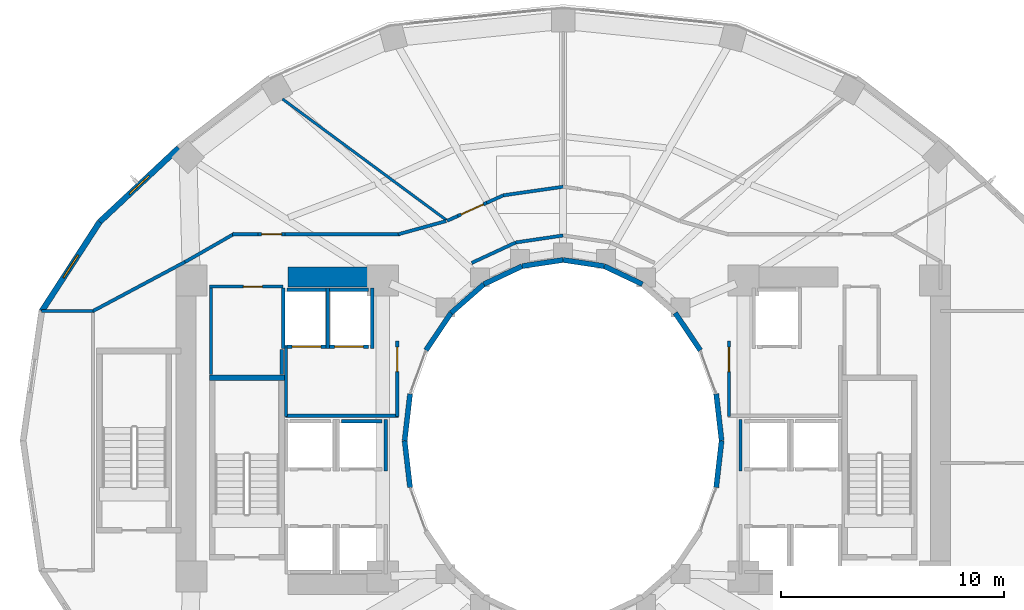
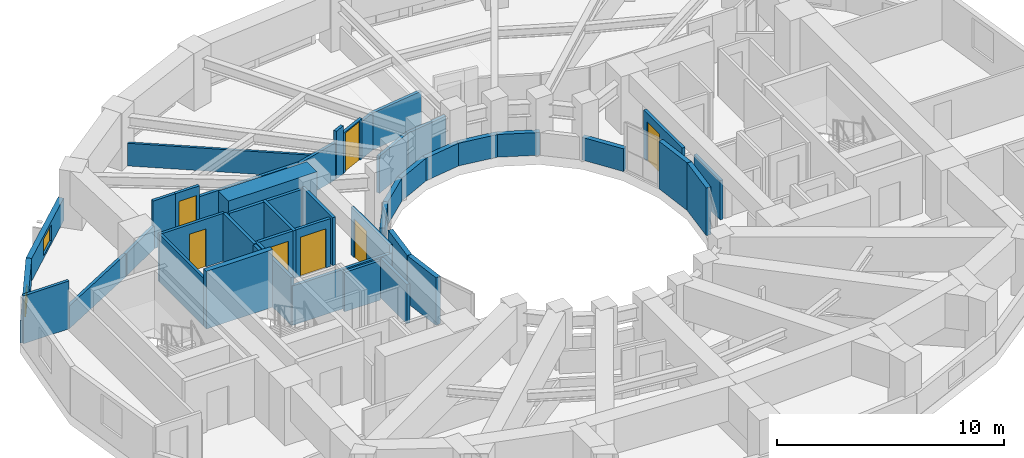
# One storey, part 13 of 19: 46 walls, 7 doors, 2 windows, 9 openings.
"""IFC4 building model written with IfcOpenShell, lengths in metres."""

from ifc_helpers import new_model, si_unit, direction, frame, frame_2d, origin, place, context, subcontext, project, spatial, rectangle, extrude, material, layer, layer_set, type_object, element, fill, save


model = new_model("IFC4")

# Units and contexts
model_context = context("Model", 3, precision=1e-05, world=origin(), true_north=direction((0.0, 1.0)))
body_context = subcontext(model_context, "Body", "Model", "MODEL_VIEW")
ifc_project = project(units=[si_unit("LENGTHUNIT", "METRE"), si_unit("AREAUNIT", "SQUARE_METRE"), si_unit("VOLUMEUNIT", "CUBIC_METRE"), si_unit("PLANEANGLEUNIT", "RADIAN"), si_unit("MASSUNIT", "GRAM", prefix="KILO")], contexts=[model_context])

# Site, building, storey
site_placement = place(None, origin())
site = spatial("IfcSite", under=ifc_project, at=site_placement, CompositionType="ELEMENT")
building_placement = place(site_placement, origin())
building = spatial("IfcBuilding", under=site, at=building_placement, Name="Solvane Sanctuary Tower", CompositionType="ELEMENT")
storey_placement = place(building_placement, frame((0.0, 0.0, 73.199951171875)))
storey = spatial("IfcBuildingStorey", under=building, at=storey_placement, Name="L21", CompositionType="ELEMENT", Elevation=73.199951171875)

# Walls
ifc_material_1 = material(Name="Concrete C70/85", Category="concrete")
ifc_layer_1 = layer(ifc_material_1, 0.89990234375, Name="Concrete C70/85")
ifc_layer_set_1 = layer_set([ifc_layer_1], Name="Concrete C70/85")
wall_type_1 = type_object("IfcWallType", Name="Wall W-CORE-900", PredefinedType="SHEAR", material=ifc_layer_set_1)
wall_1_placement = place(storey_placement, frame((19.64990234375, 30.35009765625, 0.0), z_axis=(0.0, 0.0, 1.0), x_axis=(1.0, 0.0, 0.0)))
element("IfcWall", 1, at=wall_1_placement, inside=storey, type_object=wall_type_1, Name="L21 Core Shear Wall WC-N", PredefinedType="SHEAR", context=body_context, shape_type="SweptSolid", body=[
    extrude(rectangle(XDim=4.5, YDim=0.89990234375, at=frame_2d((2.25, 0.0))), origin(), (0.0, 0.0, 1.0), 3.10009765625),
])
ifc_material_2 = material(Name="Acoustic Gypsum Partition Board")
ifc_layer_2 = layer(ifc_material_2, 0.14990234375, Name="Acoustic Gypsum Partition Board")
ifc_layer_set_2 = layer_set([ifc_layer_2], Name="Acoustic Gypsum Partition Board")
wall_type_2 = type_object("IfcWallType", Name="Wall W-CORR-150", PredefinedType="PARTITIONING", material=ifc_layer_set_2)
wall_2_placement = place(storey_placement, frame((19.52001953125, 24.1201171875, 0.0), z_axis=(0.0, 0.0, 1.0), x_axis=(1.0, 0.0, 0.0)))
element("IfcWall", 2, at=wall_2_placement, inside=storey, type_object=wall_type_2, Name="L21 West Firefighting Lobby South Wall", PredefinedType="PARTITIONING", context=body_context, shape_type="SweptSolid", body=[
    extrude(rectangle(XDim=5.080078125, YDim=0.14990234375, at=frame_2d((2.5400390625, 0.0))), origin(), (0.0, 0.0, 1.0), 2.1201171875),
])
wall_3_placement = place(storey_placement, frame((19.550048828125, 24.080078125, 0.0), z_axis=(0.0, 0.0, 1.0), x_axis=(0.0, 1.0, 0.0)))
element("IfcWall", 3, at=wall_3_placement, inside=storey, type_object=wall_type_2, Name="L21 West Firefighting Lobby West Wall", PredefinedType="PARTITIONING", context=body_context, shape_type="SweptSolid", body=[
    extrude(rectangle(XDim=3.199951171875, YDim=0.14990234375, at=frame_2d((1.60009765625, 0.0))), origin(), (0.0, 0.0, 1.0), 2.574951171875),
])

# Wall, opening, door
wall_4_placement = place(storey_placement, frame((24.550048828125, 24.080078125, 0.0), z_axis=(0.0, 0.0, 1.0), x_axis=(0.0, 1.0, 0.0)))
wall_4 = element("IfcWall", 4, at=wall_4_placement, inside=storey, type_object=wall_type_2, Name="L21 West Firefighting Lobby East Wall", PredefinedType="PARTITIONING", context=body_context, shape_type="SweptSolid", body=[
    extrude(rectangle(XDim=3.39990234375, YDim=0.14990234375, at=frame_2d((1.699951171875, 0.0))), origin(), (0.0, 0.0, 1.0), 2.574951171875),
])
opening_1_placement = place(wall_4_placement, frame((2.02001953125, 0.0, 0.0)))
opening_1 = element("IfcOpeningElement", 5, at=opening_1_placement, cuts=wall_4, Name="Opening D-L21-04", PredefinedType="OPENING", context=body_context, shape_type="SweptSolid", body=[
    extrude(rectangle(XDim=1.10009765625, YDim=2.10009765625, at=frame_2d((0.550048828125, 1.050048828125))), frame((0.0, 0.0849609375, 0.0), z_axis=(0.0, -1.0, 0.0), x_axis=(1.0, 0.0, 0.0)), (0.0, 0.0, 1.0), 0.169921875),
])
ifc_material_3 = material(Name="Architectural Stainless Steel 316", Category="steel")
door_type_1 = type_object("IfcDoorType", Name="Door D-FFL", OperationType="NOTDEFINED", PredefinedType="DOOR", material=ifc_material_3)
door_1_placement = place(opening_1_placement, origin())
door_1 = element("IfcDoor", 6, at=door_1_placement, inside=storey, type_object=door_type_1, Name="L21 West Firefighting Lobby Fire Door", OperationType="SINGLE_SWING_LEFT", OverallHeight=2.10009765625, OverallWidth=1.10009765625, PredefinedType="DOOR", context=body_context, shape_type="SweptSolid", body=[
    extrude(rectangle(XDim=1.10009765625, YDim=2.10009765625, at=frame_2d((0.550048828125, 1.050048828125))), frame((0.0, 0.02490234375, 0.0), z_axis=(0.0, -1.0, 0.0), x_axis=(1.0, 0.0, 0.0)), (0.0, 0.0, 1.0), 0.050048828125),
])
fill(opening_1, door_1)

wall_5_placement = place(storey_placement, frame((39.449951171875, 24.080078125, 0.0), z_axis=(0.0, 0.0, 1.0), x_axis=(0.0, 1.0, 0.0)))
wall_5 = element("IfcWall", 7, at=wall_5_placement, inside=storey, type_object=wall_type_2, Name="L21 East Firefighting Lobby West Wall", PredefinedType="PARTITIONING", context=body_context, shape_type="SweptSolid", body=[
    extrude(rectangle(XDim=3.39990234375, YDim=0.14990234375, at=frame_2d((1.699951171875, 0.0))), origin(), (0.0, 0.0, 1.0), 2.574951171875),
])
opening_2_placement = place(wall_5_placement, frame((2.02001953125, 0.0, 0.0)))
opening_2 = element("IfcOpeningElement", 8, at=opening_2_placement, cuts=wall_5, Name="Opening D-L21-05", PredefinedType="OPENING", context=body_context, shape_type="SweptSolid", body=[
    extrude(rectangle(XDim=1.10009765625, YDim=2.10009765625, at=frame_2d((0.550048828125, 1.050048828125))), frame((0.0, 0.0849609375, 0.0), z_axis=(0.0, -1.0, 0.0), x_axis=(1.0, 0.0, 0.0)), (0.0, 0.0, 1.0), 0.169921875),
])
door_2_placement = place(opening_2_placement, origin())
door_2 = element("IfcDoor", 9, at=door_2_placement, inside=storey, type_object=door_type_1, Name="L21 East Firefighting Lobby Fire Door", OperationType="SINGLE_SWING_RIGHT", OverallHeight=2.10009765625, OverallWidth=1.10009765625, PredefinedType="DOOR", context=body_context, shape_type="SweptSolid", body=[
    extrude(rectangle(XDim=1.10009765625, YDim=2.10009765625, at=frame_2d((0.550048828125, 1.050048828125))), frame((0.0, 0.02490234375, 0.0), z_axis=(0.0, -1.0, 0.0), x_axis=(1.0, 0.0, 0.0)), (0.0, 0.0, 1.0), 0.050048828125),
])
fill(opening_2, door_2)

# Walls
wall_6_placement = place(storey_placement, frame((32.0, 32.219970703125, 0.0), z_axis=(0.0, 0.0, 1.0), x_axis=(-0.989268584896, -0.146108408166, 0.0)))
element("IfcWall", 10, at=wall_6_placement, inside=storey, type_object=wall_type_2, Name="L21 Light-Well Corridor Rim Wall N3", PredefinedType="PARTITIONING", context=body_context, shape_type="SweptSolid", body=[
    extrude(rectangle(XDim=2.150634765625, YDim=0.14990234375, at=frame_2d((1.0751953125, 0.0))), origin(), (0.0, 0.0, 1.0), 1.991943359375),
])
wall_7_placement = place(storey_placement, frame((29.87255859375, 31.90576171875, 0.0), z_axis=(0.0, 0.0, 1.0), x_axis=(-0.906943449489, -0.421252393975, 0.0)))
element("IfcWall", 11, at=wall_7_placement, inside=storey, type_object=wall_type_2, Name="L21 Light-Well Corridor Rim Wall N4", PredefinedType="PARTITIONING", context=body_context, shape_type="SweptSolid", body=[
    extrude(rectangle(XDim=2.18603515625, YDim=0.14990234375, at=frame_2d((1.093017578125, 0.0))), origin(), (0.0, 0.0, 1.0), 1.991943359375),
])
wall_8_placement = place(storey_placement, frame((8.558349609375, 28.8251953125, 0.0), z_axis=(0.0, 0.0, 1.0), x_axis=(1.0, 0.0, 0.0)))
element("IfcWall", 12, at=wall_8_placement, inside=storey, type_object=wall_type_2, Name="L21 West Shoulder North Wall", PredefinedType="PARTITIONING", context=body_context, shape_type="SweptSolid", body=[
    extrude(rectangle(XDim=2.321533203125, YDim=0.14990234375, at=frame_2d((1.16064453125, 0.0))), origin(), (0.0, 0.0, 1.0), 2.574951171875),
])
wall_9_placement = place(storey_placement, frame((10.8447265625, 28.806396484375, 0.0), z_axis=(0.0, 0.0, 1.0), x_axis=(0.88227840565, 0.470727962759, 0.0)))
element("IfcWall", 13, at=wall_9_placement, inside=storey, type_object=wall_type_2, Name="L21 NW Corner Closer 1", PredefinedType="PARTITIONING", context=body_context, shape_type="SweptSolid", body=[
    extrude(rectangle(XDim=4.806396484375, YDim=0.14990234375, at=frame_2d((2.4033203125, 0.0))), origin(), (0.0, 0.0, 1.0), 1.219970703125),
])
wall_10_placement = place(storey_placement, frame((26.741943359375, 32.86669921875, 0.0), z_axis=(0.0, 0.0, 1.0), x_axis=(-0.963833843713, -0.266503886865, 0.0)))
element("IfcWall", 14, at=wall_10_placement, inside=storey, type_object=wall_type_2, Name="L21 NW Corner Throat Wall", PredefinedType="PARTITIONING", context=body_context, shape_type="SweptSolid", body=[
    extrude(rectangle(XDim=2.231689453125, YDim=0.14990234375, at=frame_2d((1.11572265625, 0.0))), origin(), (0.0, 0.0, 1.0), 1.991943359375),
])
wall_11_placement = place(storey_placement, frame((17.14990234375, 32.280029296875, 0.0), z_axis=(0.0, 0.0, 1.0), x_axis=(1.0, 0.0, 0.0)))
element("IfcWall", 15, at=wall_11_placement, inside=storey, type_object=wall_type_2, Name="L21 NW Corner Corridor Wall", PredefinedType="PARTITIONING", context=body_context, shape_type="SweptSolid", body=[
    extrude(rectangle(XDim=1.14013671875, YDim=0.14990234375, at=frame_2d((0.570068359375, 0.0))), origin(), (0.0, 0.0, 1.0), 2.574951171875),
])

# Wall, opening, door
wall_12_placement = place(storey_placement, frame((18.2900390625, 32.280029296875, 0.0), z_axis=(0.0, 0.0, 1.0), x_axis=(1.0, 0.0, 0.0)))
wall_12 = element("IfcWall", 16, at=wall_12_placement, inside=storey, type_object=wall_type_2, Name="L21 NW Corner Corridor Wall", PredefinedType="PARTITIONING", context=body_context, shape_type="SweptSolid", body=[
    extrude(rectangle(XDim=1.219970703125, YDim=0.14990234375, at=frame_2d((0.60986328125, 0.0))), origin(), (0.0, 0.0, 1.0), 2.574951171875),
])
opening_3_placement = place(wall_12_placement, frame((0.159912109375, 0.0, 0.0)))
opening_3 = element("IfcOpeningElement", 17, at=opening_3_placement, cuts=wall_12, Name="Opening D-L21-13", PredefinedType="OPENING", context=body_context, shape_type="SweptSolid", body=[
    extrude(rectangle(XDim=0.89990234375, YDim=2.10009765625, at=frame_2d((0.449951171875, 1.050048828125))), frame((0.0, 0.0849609375, 0.0), z_axis=(0.0, -1.0, 0.0), x_axis=(1.0, 0.0, 0.0)), (0.0, 0.0, 1.0), 0.169921875),
])
ifc_material_4 = material(Name="Engineered Tropical Hardwood", Category="wood")
door_type_2 = type_object("IfcDoorType", Name="Door D-WET-900", OperationType="NOTDEFINED", PredefinedType="DOOR", material=ifc_material_4)
door_3_placement = place(opening_3_placement, origin())
door_3 = element("IfcDoor", 18, at=door_3_placement, inside=storey, type_object=door_type_2, Name="L21 NW Corner Salon Door", OperationType="SINGLE_SWING_RIGHT", OverallHeight=2.10009765625, OverallWidth=0.89990234375, PredefinedType="DOOR", context=body_context, shape_type="SweptSolid", body=[
    extrude(rectangle(XDim=0.89990234375, YDim=2.10009765625, at=frame_2d((0.449951171875, 1.050048828125))), frame((0.0, 0.02490234375, 0.0), z_axis=(0.0, -1.0, 0.0), x_axis=(1.0, 0.0, 0.0)), (0.0, 0.0, 1.0), 0.050048828125),
])
fill(opening_3, door_3)

# Walls
wall_13_placement = place(storey_placement, frame((19.510009765625, 32.280029296875, 0.0), z_axis=(0.0, 0.0, 1.0), x_axis=(1.0, 0.0, 0.0)))
element("IfcWall", 19, at=wall_13_placement, inside=storey, type_object=wall_type_2, Name="L21 NW Corner Corridor Wall", PredefinedType="PARTITIONING", context=body_context, shape_type="SweptSolid", body=[
    extrude(rectangle(XDim=5.159912109375, YDim=0.14990234375, at=frame_2d((2.580078125, 0.0))), origin(), (0.0, 0.0, 1.0), 1.991943359375),
])
wall_14_placement = place(storey_placement, frame((17.243408203125, 32.3046875, 0.0), z_axis=(0.0, 0.0, 1.0), x_axis=(-0.867991349648, -0.496579315857, 0.0)))
element("IfcWall", 20, at=wall_14_placement, inside=storey, type_object=wall_type_2, Name="L21 NW Corner Wing Wall", PredefinedType="PARTITIONING", context=body_context, shape_type="SweptSolid", body=[
    extrude(rectangle(XDim=2.56689453125, YDim=0.14990234375, at=frame_2d((1.283447265625, 0.0))), origin(), (0.0, 0.0, 1.0), 1.219970703125),
])
wall_15_placement = place(storey_placement, frame((32.00732421875, 34.409912109375, 0.0), z_axis=(0.0, 0.0, 1.0), x_axis=(-0.989796962007, -0.142484995705, 0.0)))
element("IfcWall", 21, at=wall_15_placement, inside=storey, type_object=wall_type_2, Name="L21 Sky Promenade Corridor Wall N2", PredefinedType="PARTITIONING", context=body_context, shape_type="SweptSolid", body=[
    extrude(rectangle(XDim=2.731201171875, YDim=0.14990234375, at=frame_2d((1.36572265625, 0.0))), origin(), (0.0, 0.0, 1.0), 1.991943359375),
])
wall_16_placement = place(storey_placement, frame((29.307373046875, 34.021728515625, 0.0), z_axis=(0.0, 0.0, 1.0), x_axis=(-0.910335729505, -0.413870583138, 0.0)))
element("IfcWall", 22, at=wall_16_placement, inside=storey, type_object=wall_type_2, Name="L21 Sky Promenade Corridor Wall N2", PredefinedType="PARTITIONING", context=body_context, shape_type="SweptSolid", body=[
    extrude(rectangle(XDim=0.81591796875, YDim=0.14990234375, at=frame_2d((0.407958984375, 0.0))), origin(), (0.0, 0.0, 1.0), 1.991943359375),
])

# Wall, opening, door
wall_17_placement = place(storey_placement, frame((28.564697265625, 33.68408203125, 0.0), z_axis=(0.0, 0.0, 1.0), x_axis=(-0.910513615737, -0.413479087207, 0.0)))
wall_17 = element("IfcWall", 23, at=wall_17_placement, inside=storey, type_object=wall_type_2, Name="L21 Sky Promenade Corridor Wall N2", PredefinedType="PARTITIONING", context=body_context, shape_type="SweptSolid", body=[
    extrude(rectangle(XDim=1.419921875, YDim=0.14990234375, at=frame_2d((0.7099609375, 0.0))), origin(), (0.0, 0.0, 1.0), 2.16015625),
])
opening_4_placement = place(wall_17_placement, frame((0.159912109375, 0.0, 0.0)))
opening_4 = element("IfcOpeningElement", 24, at=opening_4_placement, cuts=wall_17, Name="Opening D-L21-17", PredefinedType="OPENING", context=body_context, shape_type="SweptSolid", body=[
    extrude(rectangle(XDim=1.10009765625, YDim=2.10009765625, at=frame_2d((0.550048828125, 1.050048828125))), frame((0.0, 0.0849609375, 0.0), z_axis=(0.0, -1.0, 0.0), x_axis=(1.0, 0.0, 0.0)), (0.0, 0.0, 1.0), 0.169921875),
])
door_4_placement = place(opening_4_placement, origin())
door_4 = element("IfcDoor", 25, at=door_4_placement, inside=storey, type_object=door_type_1, Name="L21 Sky Hall Entrance Door N2", OperationType="SINGLE_SWING_RIGHT", OverallHeight=2.10009765625, OverallWidth=1.10009765625, PredefinedType="DOOR", context=body_context, shape_type="SweptSolid", body=[
    extrude(rectangle(XDim=1.10009765625, YDim=2.10009765625, at=frame_2d((0.550048828125, 1.050048828125))), frame((0.0, 0.02490234375, 0.0), z_axis=(0.0, -1.0, 0.0), x_axis=(1.0, 0.0, 0.0)), (0.0, 0.0, 1.0), 0.050048828125),
])
fill(opening_4, door_4)

# Wall
wall_18_placement = place(storey_placement, frame((27.271728515625, 33.096923828125, 0.0), z_axis=(0.0, 0.0, 1.0), x_axis=(-0.910382238922, -0.413768267336, 0.0)))
element("IfcWall", 26, at=wall_18_placement, inside=storey, type_object=wall_type_2, Name="L21 Sky Promenade Corridor Wall N2", PredefinedType="PARTITIONING", context=body_context, shape_type="SweptSolid", body=[
    extrude(rectangle(XDim=0.530517578125, YDim=0.14990234375, at=frame_2d((0.26513671875, 0.0))), origin(), (0.0, 0.0, 1.0), 2.574951171875),
])

# Wall, opening, window
ifc_material_5 = material(Name="Precast concrete C40/50", Category="concrete")
ifc_layer_3 = layer(ifc_material_5, 0.260009765625, Name="Precast concrete C40/50")
ifc_layer_set_3 = layer_set([ifc_layer_3], Name="Precast concrete C40/50")
wall_type_3 = type_object("IfcWallType", Name="Wall W-EXT-250", PredefinedType="STANDARD", material=ifc_layer_set_3)
wall_19_placement = place(storey_placement, frame((14.734130859375, 36.1533203125, 0.0), z_axis=(0.0, 0.0, 1.0), x_axis=(-0.730162452258, -0.68327358599, 0.0)))
wall_19 = element("IfcWall", 27, at=wall_19_placement, inside=storey, type_object=wall_type_3, Name="L21 Ceramic-Printed Facade Wall 09", PredefinedType="STANDARD", context=body_context, shape_type="SweptSolid", body=[
    extrude(rectangle(XDim=4.868408203125, YDim=0.260009765625, at=frame_2d((2.43408203125, 0.0))), origin(), (0.0, 0.0, 1.0), 1.219970703125),
])
opening_5_placement = place(wall_19_placement, frame((1.834228515625, 0.0, 0.14990234375)))
opening_5 = element("IfcOpeningElement", 28, at=opening_5_placement, cuts=wall_19, Name="Opening WN-OPER-1200", PredefinedType="OPENING", context=body_context, shape_type="SweptSolid", body=[
    extrude(rectangle(XDim=1.199951171875, YDim=0.89990234375, at=frame_2d((0.60009765625, 0.449951171875))), frame((0.0, 0.139892578125, 0.0), z_axis=(0.0, -1.0, 0.0), x_axis=(1.0, 0.0, 0.0)), (0.0, 0.0, 1.0), 0.280029296875),
])
ifc_material_6 = material(Name="Dark Ceramic-Fritted Low-E Glass", Category="glass")
window_type = type_object("IfcWindowType", Name="Window WN-OPER-1200", PartitioningType="SINGLE_PANEL", PredefinedType="WINDOW", material=ifc_material_6)
window_1_placement = place(opening_5_placement, origin())
window_1 = element("IfcWindow", 29, at=window_1_placement, inside=storey, type_object=window_type, Name="L21 Operable Facade Window 09", OverallHeight=0.89990234375, OverallWidth=1.199951171875, PartitioningType="SINGLE_PANEL", PredefinedType="WINDOW", context=body_context, shape_type="SweptSolid", body=[
    extrude(rectangle(XDim=1.199951171875, YDim=0.89990234375, at=frame_2d((0.60009765625, 0.449951171875))), frame((0.0, 0.030029296875, 0.0), z_axis=(0.0, -1.0, 0.0), x_axis=(1.0, 0.0, 0.0)), (0.0, 0.0, 1.0), 0.06005859375),
])
fill(opening_5, window_1)

wall_20_placement = place(storey_placement, frame((11.179443359375, 32.826904296875, 0.0), z_axis=(0.0, 0.0, 1.0), x_axis=(-0.544388392991, -0.838833283541, 0.0)))
wall_20 = element("IfcWall", 30, at=wall_20_placement, inside=storey, type_object=wall_type_3, Name="L21 Ceramic-Printed Facade Wall 10", PredefinedType="STANDARD", context=body_context, shape_type="SweptSolid", body=[
    extrude(rectangle(XDim=4.7783203125, YDim=0.260009765625, at=frame_2d((2.38916015625, 0.0))), origin(), (0.0, 0.0, 1.0), 1.219970703125),
])
opening_6_placement = place(wall_20_placement, frame((1.7890625, 0.0, 0.14990234375)))
opening_6 = element("IfcOpeningElement", 31, at=opening_6_placement, cuts=wall_20, Name="Opening WN-OPER-1200", PredefinedType="OPENING", context=body_context, shape_type="SweptSolid", body=[
    extrude(rectangle(XDim=1.199951171875, YDim=0.89990234375, at=frame_2d((0.60009765625, 0.449951171875))), frame((0.0, 0.139892578125, 0.0), z_axis=(0.0, -1.0, 0.0), x_axis=(1.0, 0.0, 0.0)), (0.0, 0.0, 1.0), 0.280029296875),
])
window_2_placement = place(opening_6_placement, origin())
window_2 = element("IfcWindow", 32, at=window_2_placement, inside=storey, type_object=window_type, Name="L21 Operable Facade Window 10", OverallHeight=0.89990234375, OverallWidth=1.199951171875, PartitioningType="SINGLE_PANEL", PredefinedType="WINDOW", context=body_context, shape_type="SweptSolid", body=[
    extrude(rectangle(XDim=1.199951171875, YDim=0.89990234375, at=frame_2d((0.60009765625, 0.449951171875))), frame((0.0, 0.030029296875, 0.0), z_axis=(0.0, -1.0, 0.0), x_axis=(1.0, 0.0, 0.0)), (0.0, 0.0, 1.0), 0.06005859375),
])
fill(opening_6, window_2)

# Walls
ifc_layer_4 = layer(ifc_material_5, 0.22998046875, Name="Precast concrete C40/50")
ifc_layer_set_4 = layer_set([ifc_layer_4], Name="Precast concrete C40/50")
wall_type_4 = type_object("IfcWallType", Name="Wall W-EXT-SP220", PredefinedType="STANDARD", material=ifc_layer_set_4)
wall_21_placement = place(storey_placement, frame((39.1201171875, 23.0, 0.0), z_axis=(0.0, 0.0, 1.0), x_axis=(-0.114711713601, 0.993398823617, 0.0)))
element("IfcWall", 33, at=wall_21_placement, inside=storey, type_object=wall_type_4, Name="L21 Central Light-Well Wall 00", PredefinedType="STANDARD", context=body_context, shape_type="SweptSolid", body=[
    extrude(rectangle(XDim=2.115478515625, YDim=0.22998046875, at=frame_2d((1.0576171875, 0.0))), origin(), (0.0, 0.0, 1.0), 2.56005859375),
])
wall_22_placement = place(storey_placement, frame((38.166015625, 27.06005859375, 0.0), z_axis=(0.0, 0.0, 1.0), x_axis=(-0.558197800898, 0.829707909492, 0.0)))
element("IfcWall", 34, at=wall_22_placement, inside=storey, type_object=wall_type_4, Name="L21 Central Light-Well Wall 02", PredefinedType="STANDARD", context=body_context, shape_type="SweptSolid", body=[
    extrude(rectangle(XDim=2.02685546875, YDim=0.22998046875, at=frame_2d((1.013427734375, 0.0))), origin(), (0.0, 0.0, 1.0), 1.219970703125),
])
wall_23_placement = place(storey_placement, frame((35.56005859375, 30.031982421875, 0.0), z_axis=(0.0, 0.0, 1.0), x_axis=(-0.904179699603, 0.427152280606, 0.0)))
element("IfcWall", 35, at=wall_23_placement, inside=storey, type_object=wall_type_4, Name="L21 Central Light-Well Wall 04", PredefinedType="STANDARD", context=body_context, shape_type="SweptSolid", body=[
    extrude(rectangle(XDim=1.899169921875, YDim=0.22998046875, at=frame_2d((0.94970703125, 0.0))), origin(), (0.0, 0.0, 1.0), 1.219970703125),
])
for number, where, z_axis, x_axis, name in (
    (36, (33.8427734375, 30.84326171875, 0.0), (0.0, 0.0, 1.0), (-0.988901730308, 0.148571086668, 0.0), "L21 Central Light-Well Wall 05"),
    (37, (32.0, 31.1201171875, 0.0), (0.0, 0.0, 1.0), (-0.988901730308, -0.148571086668, 0.0), "L21 Central Light-Well Wall 06"),
):
    element("IfcWall", number, at=place(storey_placement, frame(where, z_axis=z_axis, x_axis=x_axis)), inside=storey, type_object=wall_type_4, Name=name, PredefinedType="STANDARD", context=body_context, shape_type="SweptSolid", body=[
        extrude(rectangle(XDim=1.863525390625, YDim=0.22998046875, at=frame_2d((0.931640625, 0.0))), origin(), (0.0, 0.0, 1.0), 1.219970703125),
    ])
wall_24_placement = place(storey_placement, frame((30.1572265625, 30.84326171875, 0.0), z_axis=(0.0, 0.0, 1.0), x_axis=(-0.904179699603, -0.427152280606, 0.0)))
element("IfcWall", 38, at=wall_24_placement, inside=storey, type_object=wall_type_4, Name="L21 Central Light-Well Wall 07", PredefinedType="STANDARD", context=body_context, shape_type="SweptSolid", body=[
    extrude(rectangle(XDim=1.899169921875, YDim=0.22998046875, at=frame_2d((0.94970703125, 0.0))), origin(), (0.0, 0.0, 1.0), 1.219970703125),
])
wall_25_placement = place(storey_placement, frame((28.43994140625, 30.031982421875, 0.0), z_axis=(0.0, 0.0, 1.0), x_axis=(-0.752576694707, -0.658504607869, 0.0)))
element("IfcWall", 39, at=wall_25_placement, inside=storey, type_object=wall_type_4, Name="L21 Central Light-Well Wall 08", PredefinedType="STANDARD", context=body_context, shape_type="SweptSolid", body=[
    extrude(rectangle(XDim=1.95947265625, YDim=0.22998046875, at=frame_2d((0.979736328125, 0.0))), origin(), (0.0, 0.0, 1.0), 1.219970703125),
])
wall_26_placement = place(storey_placement, frame((26.96533203125, 28.74169921875, 0.0), z_axis=(0.0, 0.0, 1.0), x_axis=(-0.558197800898, -0.829707909492, 0.0)))
element("IfcWall", 40, at=wall_26_placement, inside=storey, type_object=wall_type_4, Name="L21 Central Light-Well Wall 09", PredefinedType="STANDARD", context=body_context, shape_type="SweptSolid", body=[
    extrude(rectangle(XDim=2.02685546875, YDim=0.22998046875, at=frame_2d((1.013427734375, 0.0))), origin(), (0.0, 0.0, 1.0), 1.219970703125),
])
for number, where, z_axis, x_axis, name in (
    (41, (25.12255859375, 25.1015625, 0.0), (0.0, 0.0, 1.0), (-0.114711713601, -0.993398823617, 0.0), "L21 Central Light-Well Wall 11"),
    (42, (24.8798828125, 23.0, 0.0), (0.0, 0.0, 1.0), (0.114711713601, -0.993398823617, 0.0), "L21 Central Light-Well Wall 12"),
    (43, (38.87744140625, 20.8984375, 0.0), (0.0, 0.0, 1.0), (0.114711713601, 0.993398823617, 0.0), "L21 Central Light-Well Wall 23"),
):
    element("IfcWall", number, at=place(storey_placement, frame(where, z_axis=z_axis, x_axis=x_axis)), inside=storey, type_object=wall_type_4, Name=name, PredefinedType="STANDARD", context=body_context, shape_type="SweptSolid", body=[
        extrude(rectangle(XDim=2.115478515625, YDim=0.22998046875, at=frame_2d((1.0576171875, 0.0))), origin(), (0.0, 0.0, 1.0), 2.56005859375),
    ])
ifc_layer_5 = layer(ifc_material_2, 0.1201171875, Name="Acoustic Gypsum Partition Board")
ifc_layer_set_5 = layer_set([ifc_layer_5], Name="Acoustic Gypsum Partition Board")
wall_type_5 = type_object("IfcWallType", Name="Wall W-MOV-100", PredefinedType="MOVABLE", material=ifc_layer_set_5)
wall_27_placement = place(storey_placement, frame((26.750732421875, 32.9140625, 0.0), z_axis=(0.0, 0.0, 1.0), x_axis=(-0.80430981394, 0.594210167533, 0.0)))
element("IfcWall", 44, at=wall_27_placement, inside=storey, type_object=wall_type_5, Name="L21 Sky Hall Radial Partition 120", PredefinedType="MOVABLE", context=body_context, shape_type="SweptSolid", body=[
    extrude(rectangle(XDim=9.146240234375, YDim=0.1201171875, at=frame_2d((4.5732421875, 0.0))), origin(), (0.0, 0.0, 1.0), 1.219970703125),
])
ifc_material_7 = material(Name="Concrete C50/60", Category="concrete")
ifc_layer_6 = layer(ifc_material_7, 0.14990234375, Name="Concrete C50/60")
ifc_layer_set_6 = layer_set([ifc_layer_6], Name="Concrete C50/60")
wall_type_6 = type_object("IfcWallType", Name="Wall W-SHAFT-150", PredefinedType="SOLIDWALL", material=ifc_layer_set_6)
wall_28_placement = place(storey_placement, frame((22.0400390625, 23.8798828125, 0.0), z_axis=(0.0, 0.0, 1.0), x_axis=(1.0, 0.0, 0.0)))
element("IfcWall", 45, at=wall_28_placement, inside=storey, type_object=wall_type_6, Name="L21 PH-1 Lift Shaft Wall B", PredefinedType="SOLIDWALL", context=body_context, shape_type="SweptSolid", body=[
    extrude(rectangle(XDim=1.820068359375, YDim=0.14990234375, at=frame_2d((0.91015625, 0.0))), origin(), (0.0, 0.0, 1.0), 2.1201171875),
])
for number, where, z_axis, x_axis, name in (
    (46, (24.030029296875, 21.639892578125, 0.0), (0.0, 0.0, 1.0), (0.0, 1.0, 0.0), "L21 PH-1 Lift Shaft Wall S2"),
    (47, (39.969970703125, 21.639892578125, 0.0), (0.0, 0.0, 1.0), (0.0, 1.0, 0.0), "L21 PH-2 Lift Shaft Wall S1"),
):
    element("IfcWall", number, at=place(storey_placement, frame(where, z_axis=z_axis, x_axis=x_axis)), inside=storey, type_object=wall_type_6, Name=name, PredefinedType="SOLIDWALL", context=body_context, shape_type="SweptSolid", body=[
        extrude(rectangle(XDim=2.320068359375, YDim=0.14990234375, at=frame_2d((1.16015625, 0.0))), origin(), (0.0, 0.0, 1.0), 2.1201171875),
    ])

# Wall, opening, door
wall_29_placement = place(storey_placement, frame((19.590087890625, 27.219970703125, 0.0), z_axis=(0.0, 0.0, 1.0), x_axis=(1.0, 0.0, 0.0)))
wall_29 = element("IfcWall", 48, at=wall_29_placement, inside=storey, type_object=wall_type_6, Name="L21 FFL-1 Lift Shaft Wall F", PredefinedType="SOLIDWALL", context=body_context, shape_type="SweptSolid", body=[
    extrude(rectangle(XDim=1.760009765625, YDim=0.14990234375, at=frame_2d((0.8798828125, 0.0))), origin(), (0.0, 0.0, 1.0), 2.574951171875),
])
opening_7_placement = place(wall_29_placement, frame((0.22998046875, 0.0, 0.0)))
opening_7 = element("IfcOpeningElement", 49, at=opening_7_placement, cuts=wall_29, Name="Opening LD-L21-09", PredefinedType="OPENING", context=body_context, shape_type="SweptSolid", body=[
    extrude(rectangle(XDim=1.300048828125, YDim=2.10009765625, at=frame_2d((0.64990234375, 1.050048828125))), frame((0.0, 0.0849609375, 0.0), z_axis=(0.0, -1.0, 0.0), x_axis=(1.0, 0.0, 0.0)), (0.0, 0.0, 1.0), 0.169921875),
])
door_type_3 = type_object("IfcDoorType", Name="Door LD-FFL-1300", OperationType="NOTDEFINED", PredefinedType="DOOR", material=ifc_material_3)
door_5_placement = place(opening_7_placement, origin())
door_5 = element("IfcDoor", 50, at=door_5_placement, inside=storey, type_object=door_type_3, Name="L21 FFL-1 Lift Landing Door", OperationType="DOUBLE_DOOR_SLIDING", OverallHeight=2.10009765625, OverallWidth=1.300048828125, PredefinedType="DOOR", context=body_context, shape_type="SweptSolid", body=[
    extrude(rectangle(XDim=1.300048828125, YDim=2.10009765625, at=frame_2d((0.64990234375, 1.050048828125))), frame((0.0, 0.02490234375, 0.0), z_axis=(0.0, -1.0, 0.0), x_axis=(1.0, 0.0, 0.0)), (0.0, 0.0, 1.0), 0.050048828125),
])
fill(opening_7, door_5)

# Walls
wall_30_placement = place(storey_placement, frame((19.590087890625, 29.780029296875, 0.0), z_axis=(0.0, 0.0, 1.0), x_axis=(1.0, 0.0, 0.0)))
element("IfcWall", 51, at=wall_30_placement, inside=storey, type_object=wall_type_6, Name="L21 FFL-1 Lift Shaft Wall B", PredefinedType="SOLIDWALL", context=body_context, shape_type="SweptSolid", body=[
    extrude(rectangle(XDim=1.760009765625, YDim=0.14990234375, at=frame_2d((0.8798828125, 0.0))), origin(), (0.0, 0.0, 1.0), 2.574951171875),
])
for number, where, z_axis, x_axis, name in (
    (52, (19.419921875, 27.139892578125, 0.0), (0.0, 0.0, 1.0), (0.0, 1.0, 0.0), "L21 FFL-1 Lift Shaft Wall S1"),
    (53, (21.425048828125, 27.139892578125, 0.0), (0.0, 0.0, 1.0), (0.0, 1.0, 0.0), "L21 FFL-1 Lift Shaft Wall S2"),
):
    element("IfcWall", number, at=place(storey_placement, frame(where, z_axis=z_axis, x_axis=x_axis)), inside=storey, type_object=wall_type_6, Name=name, PredefinedType="SOLIDWALL", context=body_context, shape_type="SweptSolid", body=[
        extrude(rectangle(XDim=2.72021484375, YDim=0.14990234375, at=frame_2d((1.360107421875, 0.0))), origin(), (0.0, 0.0, 1.0), 2.574951171875),
    ])

# Wall, opening, door
wall_31_placement = place(storey_placement, frame((21.5, 27.219970703125, 0.0), z_axis=(0.0, 0.0, 1.0), x_axis=(1.0, 0.0, 0.0)))
wall_31 = element("IfcWall", 54, at=wall_31_placement, inside=storey, type_object=wall_type_6, Name="L21 SVL-1 Lift Shaft Wall F", PredefinedType="SOLIDWALL", context=body_context, shape_type="SweptSolid", body=[
    extrude(rectangle(XDim=1.760009765625, YDim=0.14990234375, at=frame_2d((0.8798828125, 0.0))), origin(), (0.0, 0.0, 1.0), 2.574951171875),
])
opening_8_placement = place(wall_31_placement, frame((0.22998046875, 0.0, 0.0)))
opening_8 = element("IfcOpeningElement", 55, at=opening_8_placement, cuts=wall_31, Name="Opening LD-L21-10", PredefinedType="OPENING", context=body_context, shape_type="SweptSolid", body=[
    extrude(rectangle(XDim=1.300048828125, YDim=2.10009765625, at=frame_2d((0.64990234375, 1.050048828125))), frame((0.0, 0.0849609375, 0.0), z_axis=(0.0, -1.0, 0.0), x_axis=(1.0, 0.0, 0.0)), (0.0, 0.0, 1.0), 0.169921875),
])
door_6_placement = place(opening_8_placement, origin())
door_6 = element("IfcDoor", 56, at=door_6_placement, inside=storey, type_object=door_type_3, Name="L21 SVL-1 Lift Landing Door", OperationType="DOUBLE_DOOR_SLIDING", OverallHeight=2.10009765625, OverallWidth=1.300048828125, PredefinedType="DOOR", context=body_context, shape_type="SweptSolid", body=[
    extrude(rectangle(XDim=1.300048828125, YDim=2.10009765625, at=frame_2d((0.64990234375, 1.050048828125))), frame((0.0, 0.02490234375, 0.0), z_axis=(0.0, -1.0, 0.0), x_axis=(1.0, 0.0, 0.0)), (0.0, 0.0, 1.0), 0.050048828125),
])
fill(opening_8, door_6)

# Walls
wall_32_placement = place(storey_placement, frame((21.5, 29.780029296875, 0.0), z_axis=(0.0, 0.0, 1.0), x_axis=(1.0, 0.0, 0.0)))
element("IfcWall", 57, at=wall_32_placement, inside=storey, type_object=wall_type_6, Name="L21 SVL-1 Lift Shaft Wall B", PredefinedType="SOLIDWALL", context=body_context, shape_type="SweptSolid", body=[
    extrude(rectangle(XDim=1.760009765625, YDim=0.14990234375, at=frame_2d((0.8798828125, 0.0))), origin(), (0.0, 0.0, 1.0), 2.574951171875),
])
wall_33_placement = place(storey_placement, frame((23.429931640625, 27.139892578125, 0.0), z_axis=(0.0, 0.0, 1.0), x_axis=(0.0, 1.0, 0.0)))
element("IfcWall", 58, at=wall_33_placement, inside=storey, type_object=wall_type_6, Name="L21 SVL-1 Lift Shaft Wall S2", PredefinedType="SOLIDWALL", context=body_context, shape_type="SweptSolid", body=[
    extrude(rectangle(XDim=2.72021484375, YDim=0.14990234375, at=frame_2d((1.360107421875, 0.0))), origin(), (0.0, 0.0, 1.0), 2.574951171875),
])
ifc_layer_7 = layer(ifc_material_7, 0.25, Name="Concrete C50/60")
ifc_layer_set_7 = layer_set([ifc_layer_7], Name="Concrete C50/60")
wall_type_7 = type_object("IfcWallType", Name="Wall W-SHAFT-250", PredefinedType="SOLIDWALL", material=ifc_layer_set_7)
wall_34_placement = place(storey_placement, frame((16.10498046875, 25.830078125, 0.0), z_axis=(0.0, 0.0, 1.0), x_axis=(1.0, 0.0, 0.0)))
element("IfcWall", 59, at=wall_34_placement, inside=storey, type_object=wall_type_7, Name="L21 ST-1 Load-Bearing Shaft Wall N", PredefinedType="SOLIDWALL", context=body_context, shape_type="SweptSolid", body=[
    extrude(rectangle(XDim=3.3701171875, YDim=0.25, at=frame_2d((1.68505859375, 0.0))), origin(), (0.0, 0.0, 1.0), 3.10009765625),
])

# Wall, opening, door
ifc_layer_8 = layer(ifc_material_2, 0.139892578125, Name="Acoustic Gypsum Partition Board")
ifc_layer_set_8 = layer_set([ifc_layer_8], Name="Acoustic Gypsum Partition Board")
wall_type_8 = type_object("IfcWallType", Name="Wall W-WET-140", PredefinedType="PLUMBINGWALL", material=ifc_layer_set_8)
wall_35_placement = place(storey_placement, frame((16.1201171875, 29.919921875, 0.0), z_axis=(0.0, 0.0, 1.0), x_axis=(1.0, 0.0, 0.0)))
wall_35 = element("IfcWall", 60, at=wall_35_placement, inside=storey, type_object=wall_type_8, Name="L21 Core Service Front Wall KW0", PredefinedType="PLUMBINGWALL", context=body_context, shape_type="SweptSolid", body=[
    extrude(rectangle(XDim=3.2998046875, YDim=0.139892578125, at=frame_2d((1.64990234375, 0.0))), origin(), (0.0, 0.0, 1.0), 2.574951171875),
])
opening_9_placement = place(wall_35_placement, frame((1.515869140625, 0.0, 0.0)))
opening_9 = element("IfcOpeningElement", 61, at=opening_9_placement, cuts=wall_35, Name="Opening D-L21-06", PredefinedType="OPENING", context=body_context, shape_type="SweptSolid", body=[
    extrude(rectangle(XDim=0.85009765625, YDim=2.050048828125, at=frame_2d((0.425048828125, 1.02490234375))), frame((0.0, 0.079833984375, 0.0), z_axis=(0.0, -1.0, 0.0), x_axis=(1.0, 0.0, 0.0)), (0.0, 0.0, 1.0), 0.159912109375),
])
door_type_4 = type_object("IfcDoorType", Name="Door D-RISER", OperationType="NOTDEFINED", PredefinedType="DOOR", material=ifc_material_3)
door_7_placement = place(opening_9_placement, origin())
door_7 = element("IfcDoor", 62, at=door_7_placement, inside=storey, type_object=door_type_4, Name="L21 Core Service Room Door KW0-1", OperationType="SINGLE_SWING_LEFT", OverallHeight=2.050048828125, OverallWidth=0.85009765625, PredefinedType="DOOR", context=body_context, shape_type="SweptSolid", body=[
    extrude(rectangle(XDim=0.85009765625, YDim=2.050048828125, at=frame_2d((0.425048828125, 1.02490234375))), frame((0.0, 0.02490234375, 0.0), z_axis=(0.0, -1.0, 0.0), x_axis=(1.0, 0.0, 0.0)), (0.0, 0.0, 1.0), 0.050048828125),
])
fill(opening_9, door_7)

# Walls
wall_36_placement = place(storey_placement, frame((16.179931640625, 25.97998046875, 0.0), z_axis=(0.0, 0.0, 1.0), x_axis=(0.0, 1.0, 0.0)))
element("IfcWall", 63, at=wall_36_placement, inside=storey, type_object=wall_type_8, Name="L21 Core Service Side Wall KW0-1", PredefinedType="PLUMBINGWALL", context=body_context, shape_type="SweptSolid", body=[
    extrude(rectangle(XDim=3.880126953125, YDim=0.139892578125, at=frame_2d((1.93994140625, 0.0))), origin(), (0.0, 0.0, 1.0), 2.574951171875),
])
wall_37_placement = place(storey_placement, frame((19.360107421875, 25.97998046875, 0.0), z_axis=(0.0, 0.0, 1.0), x_axis=(0.0, 1.0, 0.0)))
element("IfcWall", 64, at=wall_37_placement, inside=storey, type_object=wall_type_8, Name="L21 Core Service Side Wall KW0-2", PredefinedType="PLUMBINGWALL", context=body_context, shape_type="SweptSolid", body=[
    extrude(rectangle(XDim=1.1201171875, YDim=0.139892578125, at=frame_2d((0.56005859375, 0.0))), origin(), (0.0, 0.0, 1.0), 2.574951171875),
])

save(model, "model.ifc")
